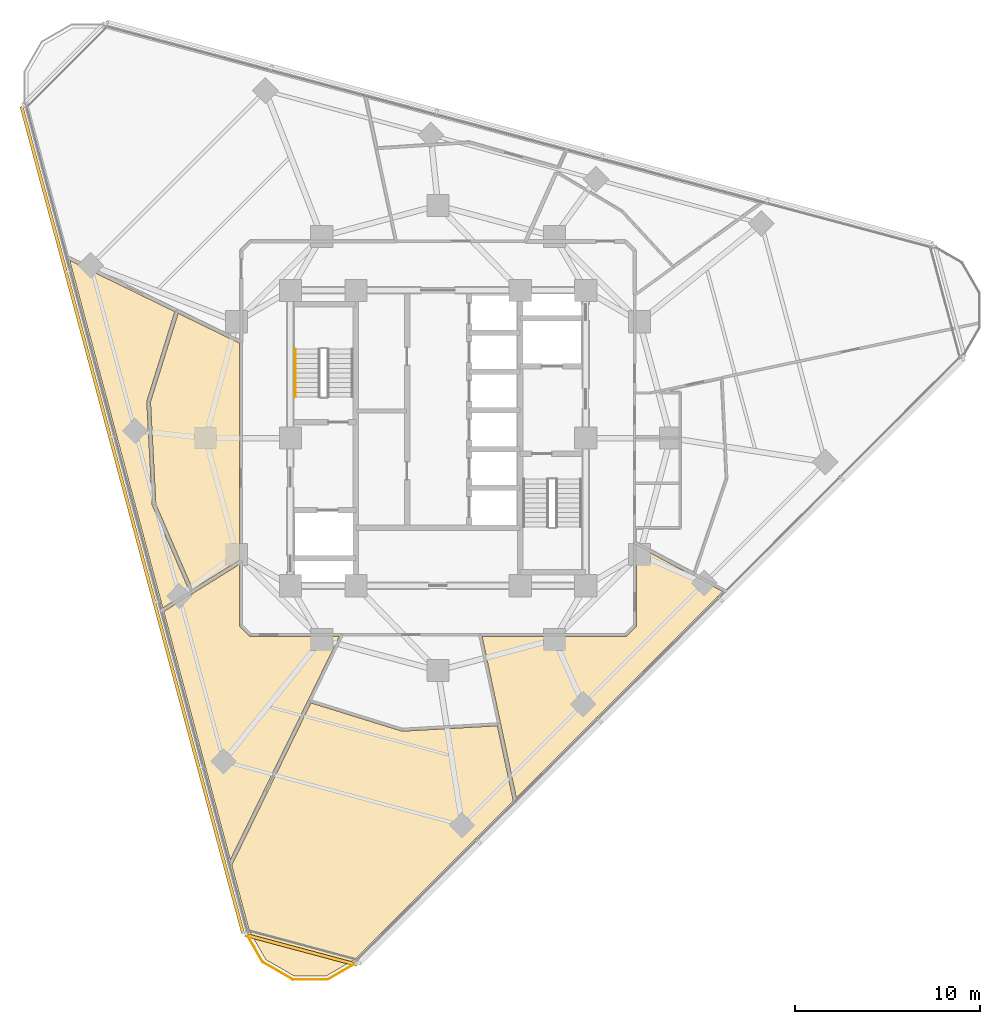
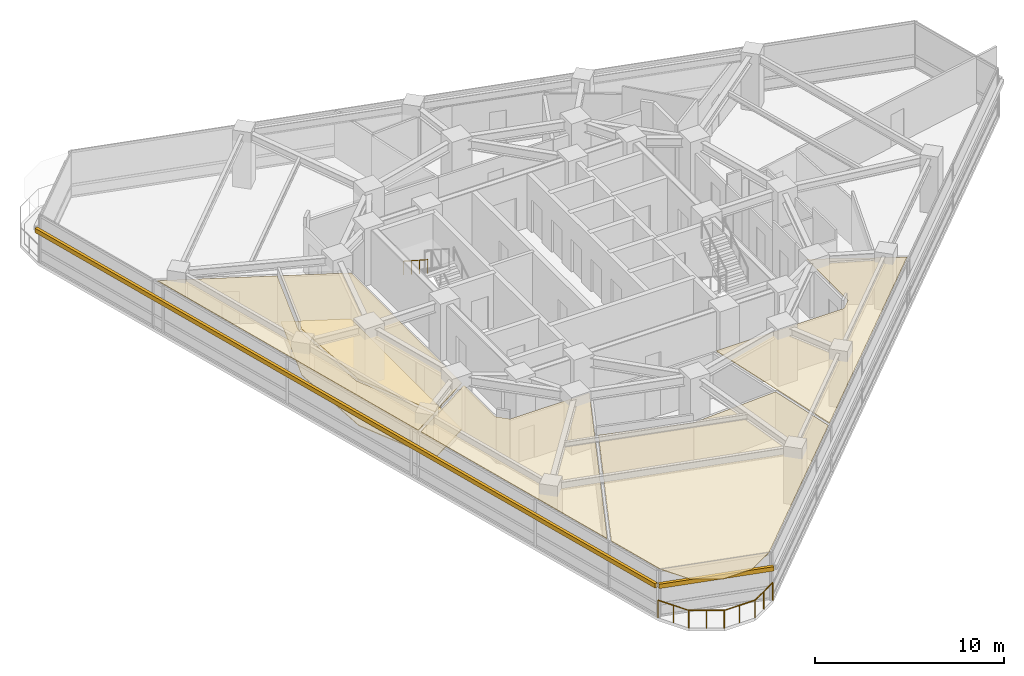
# One storey, part 11 of 14: 6 coverings, 2 railings, 2 shading devices.
"""IFC4 building model written with IfcOpenShell, lengths in metres."""

from ifc_helpers import new_model, si_unit, direction, frame, origin, origin_2d, place, context, subcontext, project, spatial, polyline, rectangle, circle, outline, extrude, material, layer, layer_set, type_object, element, save


model = new_model("IFC4")

# Units and contexts
model_context = context("Model", 3, precision=1e-05, world=origin(), true_north=direction((0.0, 1.0)))
body_context = subcontext(model_context, "Body", "Model", "MODEL_VIEW")
ifc_project = project(units=[si_unit("LENGTHUNIT", "METRE"), si_unit("AREAUNIT", "SQUARE_METRE"), si_unit("VOLUMEUNIT", "CUBIC_METRE"), si_unit("PLANEANGLEUNIT", "RADIAN"), si_unit("MASSUNIT", "GRAM", prefix="KILO")], contexts=[model_context])

# Site, building, storey
site_placement = place(None, origin())
site = spatial("IfcSite", under=ifc_project, at=site_placement, CompositionType="ELEMENT")
building_placement = place(site_placement, origin())
building = spatial("IfcBuilding", under=site, at=building_placement, Name="Terralouvre Media Tower", CompositionType="ELEMENT")
storey_placement = place(building_placement, frame((0.0, 0.0, 184.199951171875)))
storey = spatial("IfcBuildingStorey", under=building, at=storey_placement, Name="L47", CompositionType="ELEMENT", Elevation=184.199951171875)

# Coverings
ifc_material_1 = material(Name="Resilient elastomer acoustic broadcast studio flooring")
ifc_layer_1 = layer(ifc_material_1, 0.050048828125, Name="Broadcast Studio Acoustic Floating Floor FL-AC1")
ifc_layer_set_1 = layer_set([ifc_layer_1], Name="Resilient elastomer acoustic broadcast studio flooring")
covering_type_1 = type_object("IfcCoveringType", Name="Broadcast Studio Acoustic Floating Floor FL-AC1", PredefinedType="FLOORING", material=ifc_layer_set_1)
covering_1_placement = place(storey_placement, frame((0.0, 0.0, 0.0), z_axis=(0.0, 0.0, 1.0), x_axis=(0.707106781187, 0.707106781187, 0.0)))
element("IfcCovering", 1, at=covering_1_placement, inside=storey, type_object=covering_type_1, Name="L47 Foley Sound Creative Workshop 1 Acoustic Floating Floor", PredefinedType="FLOORING", context=body_context, shape_type="SweptSolid", body=[
    extrude(outline(polyline([(-9.62939453125, 12.398681640625), (-13.33740234375, 8.2802734375), (-15.192138671875, 3.6103515625), (-12.26806640625, 2.934814453125), (-3.972900390625, 11.22998046875), (-5.17822265625, 14.7314453125), (-9.62939453125, 12.398681640625)])), origin(), (0.0, 0.0, 1.0), 0.050048828125),
])
ifc_material_2 = material(Name="Perforated aluminium acoustic ceiling baffle", Category="aluminium")
ifc_layer_2 = layer(ifc_material_2, 0.0400390625, Name="Perforated Acoustic Metal Tile Ceiling CL-AC1")
ifc_layer_set_2 = layer_set([ifc_layer_2], Name="Perforated aluminium acoustic ceiling baffle")
covering_type_2 = type_object("IfcCoveringType", Name="Perforated Acoustic Metal Tile Ceiling CL-AC1", PredefinedType="CEILING", material=ifc_layer_set_2)
covering_2_placement = place(storey_placement, frame((0.0, 0.0, 2.97998046875), z_axis=(0.0, 0.0, 1.0), x_axis=(0.707106781187, 0.707106781187, 0.0)))
element("IfcCovering", 2, at=covering_2_placement, inside=storey, type_object=covering_type_2, Name="L47 Foley Sound Creative Workshop 1 Acoustic Ceiling", PredefinedType="CEILING", context=body_context, shape_type="SweptSolid", body=[
    extrude(outline(polyline([(-9.62939453125, 12.398681640625), (-13.33740234375, 8.2802734375), (-15.192138671875, 3.6103515625), (-12.26806640625, 2.934814453125), (-3.972900390625, 11.22998046875), (-5.17822265625, 14.7314453125), (-9.62939453125, 12.398681640625)])), origin(), (0.0, 0.0, 1.0), 0.0400390625),
])
covering_3_placement = place(storey_placement, frame((0.0, 0.0, 2.97998046875), z_axis=(0.0, 0.0, 1.0), x_axis=(0.707106781187, 0.707106781187, 0.0)))
element("IfcCovering", 3, at=covering_3_placement, inside=storey, type_object=covering_type_2, Name="L47 Vinyl and Score Music Library 2 Acoustic Ceiling", PredefinedType="CEILING", context=body_context, shape_type="SweptSolid", body=[
    extrude(outline(polyline([(-11.38720703125, -3.8154296875), (-14.778564453125, -0.42431640625), (-14.78515625, -0.4169921875), (-14.791015625, -0.4091796875), (-14.7958984375, -0.400634765625), (-14.80029296875, -0.391845703125), (-14.803466796875, -0.382568359375), (-14.805908203125, -0.373046875), (-14.807373046875, -0.36328125), (-14.807861328125, -0.353515625), (-14.807861328125, 0.353515625), (-14.807373046875, 0.36328125), (-14.805908203125, 0.373046875), (-14.803466796875, 0.382568359375), (-14.80029296875, 0.391845703125), (-14.7958984375, 0.400634765625), (-14.791015625, 0.4091796875), (-14.78515625, 0.4169921875), (-14.778564453125, 0.42431640625), (-12.434814453125, 2.76806640625), (-15.350341796875, 3.441650390625), (-17.152099609375, 3.857666015625), (-24.11181640625, -8.19677734375), (-15.000732421875, -5.058837890625), (-11.38720703125, -3.8154296875)])), origin(), (0.0, 0.0, 1.0), 0.0400390625),
])
covering_4_placement = place(storey_placement, frame((0.0, 0.0, 2.97998046875), z_axis=(0.0, 0.0, 1.0), x_axis=(0.707106781187, 0.707106781187, 0.0)))
element("IfcCovering", 4, at=covering_4_placement, inside=storey, type_object=covering_type_2, Name="L47 Podcast Host Green Lounge 3 Acoustic Ceiling", PredefinedType="CEILING", context=body_context, shape_type="SweptSolid", body=[
    extrude(outline(polyline([(-12.595703125, -9.863037109375), (-12.602294921875, -9.856689453125), (-12.608154296875, -9.85009765625), (-12.61328125, -9.8427734375), (-12.61767578125, -9.8349609375), (-15.0166015625, -5.27587890625), (-24.264404296875, -8.4609375), (-26.110107421875, -11.658447265625), (-26.572021484375, -13.38330078125), (-26.117919921875, -15.07958984375), (-24.87646484375, -16.32080078125), (-23.15087890625, -16.78369140625), (-11.018798828125, -16.782958984375), (-8.753173828125, -13.294189453125), (-12.595703125, -9.863037109375)])), origin(), (0.0, 0.0, 1.0), 0.0400390625),
])
covering_5_placement = place(storey_placement, frame((0.0, 0.0, 2.97998046875), z_axis=(0.0, 0.0, 1.0), x_axis=(0.707106781187, 0.707106781187, 0.0)))
element("IfcCovering", 5, at=covering_5_placement, inside=storey, type_object=covering_type_2, Name="L47 Sound Engineers Crew Room 5 Acoustic Ceiling", PredefinedType="CEILING", context=body_context, shape_type="SweptSolid", body=[
    extrude(outline(polyline([(3.4794921875, -11.723388671875), (0.42431640625, -14.778564453125), (0.4169921875, -14.78515625), (0.4091796875, -14.791015625), (0.400634765625, -14.7958984375), (0.391845703125, -14.80029296875), (0.382568359375, -14.803466796875), (0.373046875, -14.805908203125), (0.36328125, -14.807373046875), (0.353515625, -14.807861328125), (-0.353515625, -14.807861328125), (-0.36328125, -14.807373046875), (-0.373046875, -14.805908203125), (-0.382568359375, -14.803466796875), (-0.391845703125, -14.80029296875), (-0.400634765625, -14.7958984375), (-0.4091796875, -14.791015625), (-0.4169921875, -14.78515625), (-0.42431640625, -14.778564453125), (-5.9130859375, -9.28955078125), (-8.53857421875, -13.3310546875), (-10.7802734375, -16.782958984375), (5.02685546875, -16.78271484375), (4.502685546875, -15.06884765625), (3.4794921875, -11.723388671875)])), origin(), (0.0, 0.0, 1.0), 0.0400390625),
])
covering_6_placement = place(storey_placement, frame((0.0, 0.0, 2.97998046875), z_axis=(0.0, 0.0, 1.0), x_axis=(0.707106781187, 0.707106781187, 0.0)))
element("IfcCovering", 6, at=covering_6_placement, inside=storey, type_object=covering_type_2, Name="L47 Radio Continuity Control Room 14 Acoustic Ceiling", PredefinedType="CEILING", context=body_context, shape_type="SweptSolid", body=[
    extrude(outline(polyline([(-13.5166015625, 8.370849609375), (-13.512939453125, 8.37890625), (-13.5087890625, 8.38671875), (-13.503662109375, 8.39404296875), (-13.498046875, 8.40087890625), (-9.765869140625, 12.5458984375), (-9.759765625, 12.55224609375), (-9.7529296875, 12.55810546875), (-9.74560546875, 12.56298828125), (-9.738037109375, 12.567626953125), (-5.244140625, 14.922607421875), (-7.306396484375, 20.910888671875), (-17.047607421875, 4.038818359375), (-15.38916015625, 3.65576171875), (-13.5166015625, 8.370849609375)])), origin(), (0.0, 0.0, 1.0), 0.0400390625),
])

# Railings
ifc_material_3 = material(Name="Stainless steel 316 handrail and balustrade", Category="steel")
ifc_layer_3 = layer(ifc_material_3, 0.06005859375, Name="Roof Edge Safety Guardrail GR-ROOF1")
ifc_layer_set_3 = layer_set([ifc_layer_3], Name="Stainless steel 316 handrail and balustrade")
railing_type_1 = type_object("IfcRailingType", Name="Roof Edge Safety Guardrail GR-ROOF1", PredefinedType="GUARDRAIL", material=ifc_layer_set_3)
railing_1_placement = place(storey_placement, frame((-10.418701171875, -26.77685546875, 0.0)))
element("IfcRailing", 7, at=railing_1_placement, inside=storey, type_object=railing_type_1, Name="L47 Wind-Corner Perimeter Safety Guardrail C0", PredefinedType="GUARDRAIL", context=body_context, shape_type="SweptSolid", body=[
    extrude(circle(Radius=0.02099609375, at=origin_2d()), frame((0.0, 0.0, 1.12890625), z_axis=(0.499797667116, -0.866142189219, 0.0), x_axis=(0.866142189219, 0.499797667116, 0.0)), (0.0, 0.0, 1.0), 1.873291015625),
    extrude(circle(Radius=0.02099609375, at=origin_2d()), frame((0.936279296875, -1.62255859375, 1.12890625), z_axis=(0.86593156901, -0.500162491388, 0.0), x_axis=(0.500162491388, 0.86593156901, 0.0)), (0.0, 0.0, 1.0), 1.873046875),
    extrude(circle(Radius=0.02099609375, at=origin_2d()), frame((2.55810546875, -2.559326171875, 1.12890625), z_axis=(0.999999991505, 0.000130344107, 0.0), x_axis=(-0.000130344107, 0.999999991505, 0.0)), (0.0, 0.0, 1.0), 1.873046875),
    extrude(circle(Radius=0.02099609375, at=origin_2d()), frame((4.43115234375, -2.55908203125, 1.12890625), z_axis=(0.86590772507, 0.500203770141, 0.0), x_axis=(-0.500203770141, 0.86590772507, 0.0)), (0.0, 0.0, 1.0), 1.873291015625),
    extrude(circle(Radius=0.01904296875, at=origin_2d()), origin(), (0.0, 0.0, 1.0), 1.10791015625),
    extrude(circle(Radius=0.01904296875, at=origin_2d()), frame((0.46826171875, -0.811279296875, 0.0)), (0.0, 0.0, 1.0), 1.10791015625),
    extrude(circle(Radius=0.01904296875, at=origin_2d()), frame((0.936279296875, -1.62255859375, 0.0)), (0.0, 0.0, 1.0), 1.10791015625),
    extrude(circle(Radius=0.01904296875, at=origin_2d()), frame((1.7470703125, -2.0908203125, 0.0)), (0.0, 0.0, 1.0), 1.10791015625),
    extrude(circle(Radius=0.01904296875, at=origin_2d()), frame((2.55810546875, -2.559326171875, 0.0)), (0.0, 0.0, 1.0), 1.10791015625),
    extrude(circle(Radius=0.01904296875, at=origin_2d()), frame((3.49462890625, -2.55908203125, 0.0)), (0.0, 0.0, 1.0), 1.10791015625),
    extrude(circle(Radius=0.01904296875, at=origin_2d()), frame((4.43115234375, -2.55908203125, 0.0)), (0.0, 0.0, 1.0), 1.10791015625),
    extrude(circle(Radius=0.01904296875, at=origin_2d()), frame((5.2421875, -2.090576171875, 0.0)), (0.0, 0.0, 1.0), 1.10791015625),
    extrude(circle(Radius=0.01904296875, at=origin_2d()), frame((6.05322265625, -1.6220703125, 0.0)), (0.0, 0.0, 1.0), 1.10791015625),
])
ifc_material_4 = material(Name="Stainless steel 316 handrail and balustrade", Category="steel")
ifc_layer_4 = layer(ifc_material_4, 0.050048828125, Name="Stair Flight Wall Handrail HR-INT1")
ifc_layer_set_4 = layer_set([ifc_layer_4], Name="Stainless steel 316 handrail and balustrade")
railing_type_2 = type_object("IfcRailingType", Name="Stair Flight Wall Handrail HR-INT1", PredefinedType="HANDRAIL", material=ifc_layer_set_4)
railing_2_placement = place(storey_placement, frame((-7.72998046875, 4.820068359375, 2.018310546875)))
element("IfcRailing", 8, at=railing_2_placement, inside=storey, type_object=railing_type_2, Name="L47 ST-01 stair handrail 2", PredefinedType="HANDRAIL", context=body_context, shape_type="SweptSolid", body=[
    extrude(circle(Radius=0.02392578125, at=origin_2d()), frame((0.0, 0.0, 0.8759765625), z_axis=(0.0, -0.839684365666, 0.543074733399), x_axis=(1.0, 0.0, 0.0)), (0.0, 0.0, 1.0), 3.096435546875),
    extrude(circle(Radius=0.02099609375, at=origin_2d()), origin(), (0.0, 0.0, 1.0), 0.851806640625),
    extrude(circle(Radius=0.02099609375, at=origin_2d()), frame((0.0, -0.86669921875, 0.560546875)), (0.0, 0.0, 1.0), 0.851806640625),
    extrude(circle(Radius=0.02099609375, at=origin_2d()), frame((0.0, -1.7333984375, 1.12109375)), (0.0, 0.0, 1.0), 0.851806640625),
    extrude(circle(Radius=0.02099609375, at=origin_2d()), frame((0.0, -2.60009765625, 1.681640625)), (0.0, 0.0, 1.0), 0.851806640625),
])

# Shading devices
ifc_material_5 = material(Name="Extruded terracotta baguette sunshade louvres", Category="masonry")
shading_device_type = type_object("IfcShadingDeviceType", Name="Terracotta Baguette Sunshade Louvre Screen TB-LV1", PredefinedType="USERDEFINED", material=ifc_material_5)
shading_device_1_placement = place(storey_placement, frame((-16.558837890625, -4.43701171875, 2.02392578125), z_axis=(0.0, 0.0, 1.0), x_axis=(0.25881903342, -0.96592582942, 0.0)))
element("IfcShadingDevice", 9, at=shading_device_1_placement, inside=storey, type_object=shading_device_type, Name="CW-L47-F2 Terracotta Baguette Sunshade Louvre", ObjectType="BAGUETTE", PredefinedType="USERDEFINED", context=body_context, shape_type="SweptSolid", body=[
    extrude(rectangle(XDim=46.360107421875, YDim=0.179931640625, at=origin_2d()), origin(), (0.0, 0.0, 1.0), 0.280029296875),
])
shading_device_2_placement = place(storey_placement, frame((-7.427001953125, -27.71826171875, 2.02392578125), z_axis=(0.0, 0.0, 1.0), x_axis=(0.965925911218, -0.258818728144, 0.0)))
element("IfcShadingDevice", 10, at=shading_device_2_placement, inside=storey, type_object=shading_device_type, Name="CW-L47-C0 Terracotta Baguette Sunshade Louvre", ObjectType="BAGUETTE", PredefinedType="USERDEFINED", context=body_context, shape_type="SweptSolid", body=[
    extrude(rectangle(XDim=6.27001953125, YDim=0.179931640625, at=origin_2d()), origin(), (0.0, 0.0, 1.0), 0.280029296875),
])

save(model, "model.ifc")
